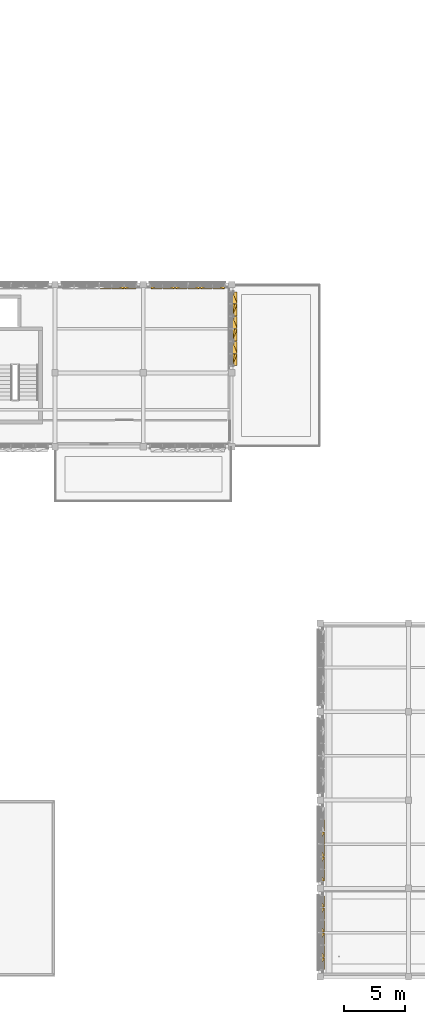
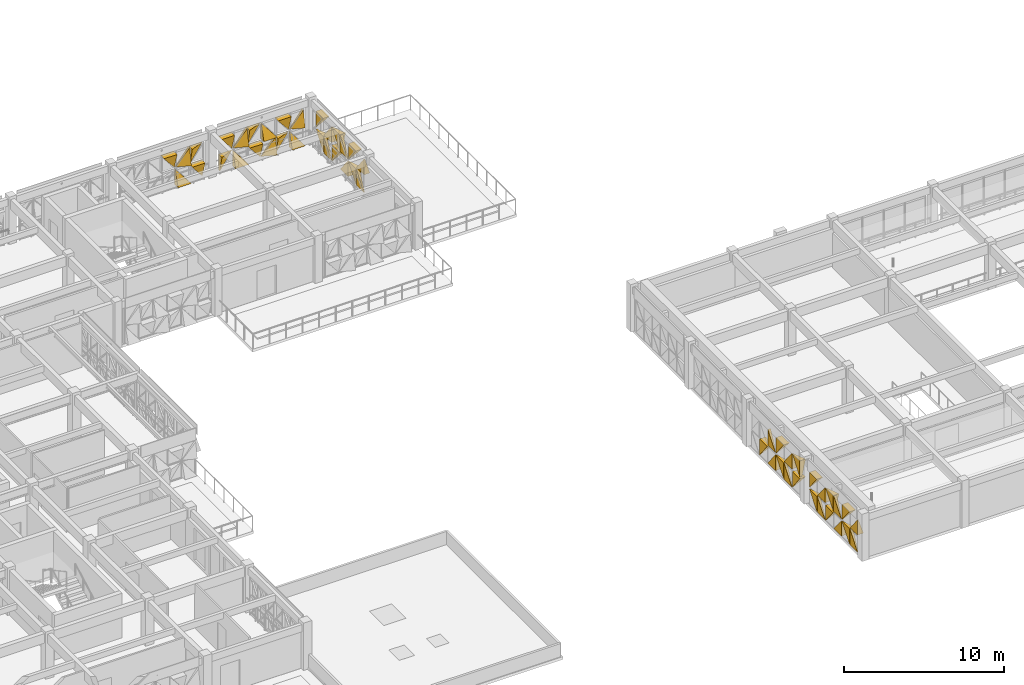
# One storey, part 69 of 74: 50 coverings.
"""IFC4 building model written with IfcOpenShell, lengths in metres."""

import ifcopenshell
import ifcopenshell.guid

model = None  # the IFC model being written
_history = None  # IfcOwnerHistory: only IFC2X3 demands one
_inside = {}  # id of a spatial element -> (the spatial element, [elements in it])
_under = {}  # id of a project, library or spatial element -> (it, [spatial elements below it])
_declared = {}  # id of a project -> (the project, [libraries it declares])
_typed = {}  # id of a type object -> (the type object, [elements of that type])
_made_of = {}  # id of a material, layer set ... -> (it, [elements and type objects made of it])


def new_model(schema):
    """Start an empty IFC model of exactly this schema.

    Asked for "IFC4X3", IfcOpenShell would pick the latest addendum, in which some entities
    have other attributes; the version numbers below select the first issue.
    IFC2X3 requires an IfcOwnerHistory on every rooted entity: one is made here for all.
    """
    global model, _history
    if schema == "IFC4X3":
        model = ifcopenshell.file(schema_version=(4, 3, 0, 0))
    else:
        model = ifcopenshell.file(schema=schema)
    _inside.clear()
    _under.clear()
    _declared.clear()
    _typed.clear()
    _made_of.clear()
    _history = None
    if model.schema == "IFC2X3":
        org = make("IfcOrganization", Name="unknown")
        user = make(
            "IfcPersonAndOrganization",
            ThePerson=make("IfcPerson", FamilyName="unknown"),
            TheOrganization=org,
        )
        app = make(
            "IfcApplication",
            ApplicationDeveloper=org,
            Version="unknown",
            ApplicationFullName="unknown",
            ApplicationIdentifier="unknown",
        )
        _history = make(
            "IfcOwnerHistory",
            OwningUser=user,
            OwningApplication=app,
            ChangeAction="ADDED",
            CreationDate=0,
        )
    return model


def make(cls, **values):
    """One entity of the class cls with the attributes given. An attribute that is None is left unset."""
    return model.create_entity(
        cls, **{name: value for name, value in values.items() if value is not None}
    )


def rooted(cls, **values):
    """An entity with a GlobalId (a new one), such as an element, a storey or a relation."""
    return make(cls, GlobalId=ifcopenshell.guid.new(), OwnerHistory=_history, **values)


def si_unit(unit_type, name, prefix=None):
    """IfcSIUnit, for example si_unit("LENGTHUNIT", "METRE", prefix="MILLI")."""
    return make("IfcSIUnit", UnitType=unit_type, Prefix=prefix, Name=name)


def assignment(units):
    """IfcUnitAssignment: the units of a project."""
    return None if units is None else make("IfcUnitAssignment", Units=units)


def point(xyz):
    """IfcCartesianPoint."""
    return None if xyz is None else make("IfcCartesianPoint", Coordinates=xyz)


def direction(xyz):
    """IfcDirection."""
    return None if xyz is None else make("IfcDirection", DirectionRatios=xyz)


def frame(location, z_axis=None, x_axis=None):
    """IfcAxis2Placement3D, a coordinate frame: its origin and axes. An axis left out is left unset."""
    return make(
        "IfcAxis2Placement3D",
        Location=point(location),
        Axis=direction(z_axis),
        RefDirection=direction(x_axis),
    )


def origin():
    """The frame at (0, 0, 0) with its axes left unset."""
    return frame((0.0, 0.0, 0.0))


def place(relative_to, where):
    """IfcLocalPlacement: puts the frame where relative to a parent placement (None: the world)."""
    return make(
        "IfcLocalPlacement", PlacementRelTo=relative_to, RelativePlacement=where
    )


def context(
    kind, dimensions, precision=None, world=None, true_north=None, identifier=None
):
    """IfcGeometricRepresentationContext, for example the 3D "Model" context."""
    return make(
        "IfcGeometricRepresentationContext",
        ContextIdentifier=identifier,
        ContextType=kind,
        CoordinateSpaceDimension=dimensions,
        Precision=precision,
        WorldCoordinateSystem=world,
        TrueNorth=true_north,
    )


def subcontext(parent, identifier, kind, view, scale=None):
    """IfcGeometricRepresentationSubContext, for example "Body" below "Model"."""
    return make(
        "IfcGeometricRepresentationSubContext",
        ContextIdentifier=identifier,
        ContextType=kind,
        ParentContext=parent,
        TargetScale=scale,
        TargetView=view,
    )


def project(units=None, contexts=None):
    """IfcProject with its units and contexts."""
    return rooted(
        "IfcProject",
        Name="project",
        RepresentationContexts=contexts,
        UnitsInContext=assignment(units),
    )


def spatial(cls, under=None, at=None, **own):
    """A site, building, storey or space (cls), placed at a placement, below another one or the project."""
    s = rooted(cls, ObjectPlacement=at, **own)
    if under is not None:
        _under.setdefault(under.id(), (under, []))[1].append(s)
    return s


def point_list(points):
    """IfcCartesianPointList2D or 3D."""
    cls = (
        "IfcCartesianPointList2D" if len(points[0]) == 2 else "IfcCartesianPointList3D"
    )
    return make(cls, CoordList=points)


def polygons(points, faces, closed=None, point_numbers=None):
    """IfcPolygonalFaceSet: a face is its outer loop, then its inner loops; points numbered from 1."""
    made = []
    for loops in faces:
        if len(loops) == 1:
            made.append(make("IfcIndexedPolygonalFace", CoordIndex=loops[0]))
        else:
            made.append(
                make(
                    "IfcIndexedPolygonalFaceWithVoids",
                    CoordIndex=loops[0],
                    InnerCoordIndices=loops[1:],
                )
            )
    return make(
        "IfcPolygonalFaceSet",
        Coordinates=point_list(points),
        Closed=closed,
        Faces=made,
        PnIndex=point_numbers,
    )


def shape(context_of_items, identifier, shape_type, items):
    """IfcShapeRepresentation: the items that make up one representation, for example the "Body"."""
    return make(
        "IfcShapeRepresentation",
        ContextOfItems=context_of_items,
        RepresentationIdentifier=identifier,
        RepresentationType=shape_type,
        Items=items,
    )


def material(Name=None, Category=None):
    """IfcMaterial."""
    return make("IfcMaterial", Name=Name, Category=Category)


def layer(
    of_material, thickness, ventilated=None, Name=None, Category=None, Priority=None
):
    """IfcMaterialLayer: one layer of a wall or slab, of a material (None: an air gap)."""
    return make(
        "IfcMaterialLayer",
        Material=of_material,
        LayerThickness=thickness,
        IsVentilated=ventilated,
        Name=Name,
        Category=Category,
        Priority=Priority,
    )


def layer_set(layers, Name=None):
    """IfcMaterialLayerSet."""
    return make("IfcMaterialLayerSet", MaterialLayers=layers, LayerSetName=Name)


def made_of(thing, what):
    """Note that an element or type object is made of a material, layer set ...; save() writes the relation."""
    if what is not None:
        _made_of.setdefault(what.id(), (what, []))[1].append(thing)
    return thing


def type_object(cls, material=None, **own):
    """A type object (cls), such as IfcWallType, which elements share."""
    return made_of(rooted(cls, **own), material)


def element(
    cls,
    number,
    at=None,
    inside=None,
    cuts=None,
    type_object=None,
    material=None,
    context=None,
    identifier="Body",
    shape_type=None,
    held_by="IfcProductDefinitionShape",
    body=None,
    shapes=None,
    **own,
):
    """One element of the class cls, such as IfcWall. Its Tag is "e" and its number.

    at: its placement. inside: the storey or other place that contains it. cuts: it is an
    opening in that element (IfcRelVoidsElement). A single representation is given by context,
    identifier, shape_type and body (its items); several are given by shapes. held_by: the class
    of the entity that holds the representations. save() writes the other relations.
    """
    e = rooted(cls, Tag="e%d" % number, ObjectPlacement=at, **own)
    if body is not None:
        shapes = [shape(context, identifier, shape_type, body)]
    if shapes is not None:
        e.Representation = make(held_by, Representations=shapes)
    if inside is not None:
        _inside.setdefault(inside.id(), (inside, []))[1].append(e)
    if cuts is not None:
        rooted(
            "IfcRelVoidsElement", RelatingBuildingElement=cuts, RelatedOpeningElement=e
        )
    if type_object is not None:
        _typed.setdefault(type_object.id(), (type_object, []))[1].append(e)
    return made_of(e, material)


def aggregate(whole, parts):
    """IfcRelAggregates: a whole, such as a stair, and the parts it consists of."""
    return rooted("IfcRelAggregates", RelatingObject=whole, RelatedObjects=parts)


def save(model, path):
    """Write the relations noted so far, then the file.

    IfcRelAggregates (storeys below a building ...), IfcRelContainedInSpatialStructure (elements
    in a storey), IfcRelDefinesByType, IfcRelAssociatesMaterial and IfcRelDeclares: one each for
    every whole, place, type object, material and project.
    """
    for whole, parts in _under.values():
        aggregate(whole, parts)
    for where, things in _inside.values():
        rooted(
            "IfcRelContainedInSpatialStructure",
            RelatedElements=things,
            RelatingStructure=where,
        )
    for kind, things in _typed.values():
        rooted("IfcRelDefinesByType", RelatedObjects=things, RelatingType=kind)
    for what, things in _made_of.values():
        rooted("IfcRelAssociatesMaterial", RelatedObjects=things, RelatingMaterial=what)
    for by, libraries in _declared.values():
        rooted("IfcRelDeclares", RelatingContext=by, RelatedDefinitions=libraries)
    model.write(path)


model = new_model("IFC4")

# Units and contexts
model_context = context("Model", 3, precision=1e-05, world=origin(), true_north=direction((0.0, 1.0)))
body_context = subcontext(model_context, "Body", "Model", "MODEL_VIEW")
ifc_project = project(units=[si_unit("LENGTHUNIT", "METRE"), si_unit("AREAUNIT", "SQUARE_METRE"), si_unit("VOLUMEUNIT", "CUBIC_METRE"), si_unit("PLANEANGLEUNIT", "RADIAN"), si_unit("MASSUNIT", "GRAM", prefix="KILO")], contexts=[model_context])

# Site, building, storey
site_placement = place(None, origin())
site = spatial("IfcSite", under=ifc_project, at=site_placement, CompositionType="ELEMENT")
building_placement = place(site_placement, origin())
building = spatial("IfcBuilding", under=site, at=building_placement, Name="Alvorim Cloister Faculty of Sciences", CompositionType="ELEMENT")
storey_placement = place(building_placement, frame((0.0, 0.0, 15.75)))
storey = spatial("IfcBuildingStorey", under=building, at=storey_placement, Name="L04", CompositionType="ELEMENT", Elevation=15.75)

# Coverings
ifc_material = material(Name="Perforated Bronze Alloy Sheet", Category="metal")
ifc_layer = layer(ifc_material, 0.0380859375)
ifc_layer_set = layer_set([ifc_layer], Name="Perforated Bronze Alloy Sheet")
covering_type = type_object("IfcCoveringType", Name="COV-TRI-BRZ", PredefinedType="CLADDING", material=ifc_layer_set)
covering_1_placement = place(storey_placement, frame((46.83251953125, 56.445068359375, 1.4951171875), z_axis=(0.0, 0.0, 1.0), x_axis=(1.0, 0.0, 0.0)))
element("IfcCovering", 1, at=covering_1_placement, inside=storey, type_object=covering_type, Name="Diagonal Solid Metal Triangle TRI-TR", PredefinedType="CLADDING", context=body_context, shape_type="Tessellation", body=[
    polygons([(0.955078125, 0.0260009765625, 0.002), (0.955078125, 0.0260009765625, 1.21484375), (0.002, 0.0260009765625, 1.21484375), (0.955078125, -0.03, 0.002), (0.955078125, -0.4, 1.21484375), (0.002, -0.4, 1.21484375)], [[[1, 3, 2]], [[4, 5, 6]], [[1, 2, 5, 4]], [[2, 3, 6, 5]], [[3, 1, 4, 6]]], closed=True),
])
covering_2_placement = place(storey_placement, frame((47.8525390625, 56.445068359375, 0.139892578125), z_axis=(0.0, 0.0, 1.0), x_axis=(1.0, 0.0, 0.0)))
element("IfcCovering", 2, at=covering_2_placement, inside=storey, type_object=covering_type, Name="Diagonal Solid Metal Triangle TRI-BL", PredefinedType="CLADDING", context=body_context, shape_type="Tessellation", body=[
    polygons([(0.0, 0.0260009765625, 0.0), (0.953078125, 0.0260009765625, 0.0), (0.0, 0.0260009765625, 1.213087890625), (0.0, -0.4, 0.0), (0.953078125, -0.4, 0.0), (0.0, -0.03, 1.213087890625)], [[[1, 3, 2]], [[4, 5, 6]], [[1, 2, 5, 4]], [[2, 3, 6, 5]], [[3, 1, 4, 6]]], closed=True),
])
covering_3_placement = place(storey_placement, frame((47.8525390625, 56.445068359375, 1.4951171875), z_axis=(0.0, 0.0, 1.0), x_axis=(1.0, 0.0, 0.0)))
element("IfcCovering", 3, at=covering_3_placement, inside=storey, type_object=covering_type, Name="Diagonal Solid Metal Triangle TRI-BR", PredefinedType="CLADDING", context=body_context, shape_type="Tessellation", body=[
    polygons([(0.002, 0.0260009765625, 0.0), (0.955078125, 0.0260009765625, 0.0), (0.955078125, 0.0260009765625, 1.21284375), (0.002, -0.03, 0.0), (0.955078125, -0.4, 0.0), (0.955078125, -0.18000000000000002, 1.21284375)], [[[1, 3, 2]], [[4, 5, 6]], [[1, 2, 5, 4]], [[2, 3, 6, 5]], [[3, 1, 4, 6]]], closed=True),
])
covering_4_placement = place(storey_placement, frame((48.87255859375, 56.445068359375, 0.139892578125), z_axis=(0.0, 0.0, 1.0), x_axis=(1.0, 0.0, 0.0)))
element("IfcCovering", 4, at=covering_4_placement, inside=storey, type_object=covering_type, Name="Diagonal Solid Metal Triangle TRI-TR", PredefinedType="CLADDING", context=body_context, shape_type="Tessellation", body=[
    polygons([(0.922607421875, 0.0260009765625, 0.002), (0.922607421875, 0.0260009765625, 1.215087890625), (0.002, 0.0260009765625, 1.215087890625), (0.922607421875, -0.03, 0.002), (0.922607421875, -0.4, 1.215087890625), (0.002, -0.4, 1.215087890625)], [[[1, 3, 2]], [[4, 5, 6]], [[1, 2, 5, 4]], [[2, 3, 6, 5]], [[3, 1, 4, 6]]], closed=True),
])
covering_5_placement = place(storey_placement, frame((48.87255859375, 56.445068359375, 1.4951171875), z_axis=(0.0, 0.0, 1.0), x_axis=(1.0, 0.0, 0.0)))
element("IfcCovering", 5, at=covering_5_placement, inside=storey, type_object=covering_type, Name="Diagonal Solid Metal Triangle TRI-TL", PredefinedType="CLADDING", context=body_context, shape_type="Tessellation", body=[
    polygons([(0.920607421875, 0.0260009765625, 1.21484375), (0.0, 0.0260009765625, 1.21484375), (0.0, 0.0260009765625, 0.002), (0.920607421875, -0.03, 1.21484375), (0.0, -0.4, 1.21484375), (0.0, -0.13999999999999999, 0.002)], [[[1, 3, 2]], [[4, 5, 6]], [[1, 2, 5, 4]], [[2, 3, 6, 5]], [[3, 1, 4, 6]]], closed=True),
])
covering_6_placement = place(storey_placement, frame((51.0048828125, 56.445068359375, 0.139892578125), z_axis=(0.0, 0.0, 1.0), x_axis=(1.0, 0.0, 0.0)))
element("IfcCovering", 6, at=covering_6_placement, inside=storey, type_object=covering_type, Name="Diagonal Solid Metal Triangle TRI-TL", PredefinedType="CLADDING", context=body_context, shape_type="Tessellation", body=[
    polygons([(0.920607421875, 0.0260009765625, 1.215087890625), (0.0, 0.0260009765625, 1.215087890625), (0.0, 0.0260009765625, 0.002), (0.920607421875, -0.03, 1.215087890625), (0.0, -0.4, 1.215087890625), (0.0, -0.13999999999999999, 0.002)], [[[1, 3, 2]], [[4, 5, 6]], [[1, 2, 5, 4]], [[2, 3, 6, 5]], [[3, 1, 4, 6]]], closed=True),
])
covering_7_placement = place(storey_placement, frame((51.0048828125, 56.445068359375, 1.4951171875), z_axis=(0.0, 0.0, 1.0), x_axis=(1.0, 0.0, 0.0)))
element("IfcCovering", 7, at=covering_7_placement, inside=storey, type_object=covering_type, Name="Diagonal Solid Metal Triangle TRI-TR", PredefinedType="CLADDING", context=body_context, shape_type="Tessellation", body=[
    polygons([(0.922607421875, 0.0260009765625, 0.002), (0.922607421875, 0.0260009765625, 1.21484375), (0.002, 0.0260009765625, 1.21484375), (0.922607421875, -0.03, 0.002), (0.922607421875, -0.4, 1.21484375), (0.002, -0.4, 1.21484375)], [[[1, 3, 2]], [[4, 5, 6]], [[1, 2, 5, 4]], [[2, 3, 6, 5]], [[3, 1, 4, 6]]], closed=True),
])
covering_8_placement = place(storey_placement, frame((51.992431640625, 56.445068359375, 0.139892578125), z_axis=(0.0, 0.0, 1.0), x_axis=(1.0, 0.0, 0.0)))
element("IfcCovering", 8, at=covering_8_placement, inside=storey, type_object=covering_type, Name="Diagonal Solid Metal Triangle TRI-BL", PredefinedType="CLADDING", context=body_context, shape_type="Tessellation", body=[
    polygons([(0.0, 0.0260009765625, 0.0), (0.953078125, 0.0260009765625, 0.0), (0.0, 0.0260009765625, 1.213087890625), (0.0, -0.4, 0.0), (0.953078125, -0.4, 0.0), (0.0, -0.03, 1.213087890625)], [[[1, 3, 2]], [[4, 5, 6]], [[1, 2, 5, 4]], [[2, 3, 6, 5]], [[3, 1, 4, 6]]], closed=True),
])
covering_9_placement = place(storey_placement, frame((51.992431640625, 56.445068359375, 1.4951171875), z_axis=(0.0, 0.0, 1.0), x_axis=(1.0, 0.0, 0.0)))
element("IfcCovering", 9, at=covering_9_placement, inside=storey, type_object=covering_type, Name="Diagonal Solid Metal Triangle TRI-BR", PredefinedType="CLADDING", context=body_context, shape_type="Tessellation", body=[
    polygons([(0.002, 0.0260009765625, 0.0), (0.955078125, 0.0260009765625, 0.0), (0.955078125, 0.0260009765625, 1.21284375), (0.002, -0.03, 0.0), (0.955078125, -0.4, 0.0), (0.955078125, -0.18000000000000002, 1.21284375)], [[[1, 3, 2]], [[4, 5, 6]], [[1, 2, 5, 4]], [[2, 3, 6, 5]], [[3, 1, 4, 6]]], closed=True),
])
covering_10_placement = place(storey_placement, frame((53.012451171875, 56.445068359375, 0.139892578125), z_axis=(0.0, 0.0, 1.0), x_axis=(1.0, 0.0, 0.0)))
element("IfcCovering", 10, at=covering_10_placement, inside=storey, type_object=covering_type, Name="Diagonal Solid Metal Triangle TRI-TR", PredefinedType="CLADDING", context=body_context, shape_type="Tessellation", body=[
    polygons([(0.955078125, 0.0260009765625, 0.002), (0.955078125, 0.0260009765625, 1.215087890625), (0.002, 0.0260009765625, 1.215087890625), (0.955078125, -0.03, 0.002), (0.955078125, -0.4, 1.215087890625), (0.002, -0.4, 1.215087890625)], [[[1, 3, 2]], [[4, 5, 6]], [[1, 2, 5, 4]], [[2, 3, 6, 5]], [[3, 1, 4, 6]]], closed=True),
])
covering_11_placement = place(storey_placement, frame((53.012451171875, 56.445068359375, 1.4951171875), z_axis=(0.0, 0.0, 1.0), x_axis=(1.0, 0.0, 0.0)))
element("IfcCovering", 11, at=covering_11_placement, inside=storey, type_object=covering_type, Name="Diagonal Solid Metal Triangle TRI-TL", PredefinedType="CLADDING", context=body_context, shape_type="Tessellation", body=[
    polygons([(0.953078125, 0.0260009765625, 1.21484375), (0.0, 0.0260009765625, 1.21484375), (0.0, 0.0260009765625, 0.002), (0.953078125, -0.03, 1.21484375), (0.0, -0.4, 1.21484375), (0.0, -0.13999999999999999, 0.002)], [[[1, 3, 2]], [[4, 5, 6]], [[1, 2, 5, 4]], [[2, 3, 6, 5]], [[3, 1, 4, 6]]], closed=True),
])
covering_12_placement = place(storey_placement, frame((54.032470703125, 56.445068359375, 0.139892578125), z_axis=(0.0, 0.0, 1.0), x_axis=(1.0, 0.0, 0.0)))
element("IfcCovering", 12, at=covering_12_placement, inside=storey, type_object=covering_type, Name="Diagonal Solid Metal Triangle TRI-BR", PredefinedType="CLADDING", context=body_context, shape_type="Tessellation", body=[
    polygons([(0.002, 0.0260009765625, 0.0), (0.955078125, 0.0260009765625, 0.0), (0.955078125, 0.0260009765625, 1.213087890625), (0.002, -0.03, 0.0), (0.955078125, -0.4, 0.0), (0.955078125, -0.18000000000000002, 1.213087890625)], [[[1, 3, 2]], [[4, 5, 6]], [[1, 2, 5, 4]], [[2, 3, 6, 5]], [[3, 1, 4, 6]]], closed=True),
])
covering_13_placement = place(storey_placement, frame((54.032470703125, 56.445068359375, 1.4951171875), z_axis=(0.0, 0.0, 1.0), x_axis=(1.0, 0.0, 0.0)))
element("IfcCovering", 13, at=covering_13_placement, inside=storey, type_object=covering_type, Name="Diagonal Solid Metal Triangle TRI-BL", PredefinedType="CLADDING", context=body_context, shape_type="Tessellation", body=[
    polygons([(0.0, 0.0260009765625, 0.0), (0.953078125, 0.0260009765625, 0.0), (0.0, 0.0260009765625, 1.21284375), (0.0, -0.4, 0.0), (0.953078125, -0.4, 0.0), (0.0, -0.03, 1.21284375)], [[[1, 3, 2]], [[4, 5, 6]], [[1, 2, 5, 4]], [[2, 3, 6, 5]], [[3, 1, 4, 6]]], closed=True),
])
covering_14_placement = place(storey_placement, frame((55.052490234375, 56.445068359375, 0.139892578125), z_axis=(0.0, 0.0, 1.0), x_axis=(1.0, 0.0, 0.0)))
element("IfcCovering", 14, at=covering_14_placement, inside=storey, type_object=covering_type, Name="Diagonal Solid Metal Triangle TRI-TL", PredefinedType="CLADDING", context=body_context, shape_type="Tessellation", body=[
    polygons([(0.953078125, 0.0260009765625, 1.215087890625), (0.0, 0.0260009765625, 1.215087890625), (0.0, 0.0260009765625, 0.002), (0.953078125, -0.03, 1.215087890625), (0.0, -0.4, 1.215087890625), (0.0, -0.13999999999999999, 0.002)], [[[1, 3, 2]], [[4, 5, 6]], [[1, 2, 5, 4]], [[2, 3, 6, 5]], [[3, 1, 4, 6]]], closed=True),
])
covering_15_placement = place(storey_placement, frame((55.052490234375, 56.445068359375, 1.4951171875), z_axis=(0.0, 0.0, 1.0), x_axis=(1.0, 0.0, 0.0)))
element("IfcCovering", 15, at=covering_15_placement, inside=storey, type_object=covering_type, Name="Diagonal Solid Metal Triangle TRI-TR", PredefinedType="CLADDING", context=body_context, shape_type="Tessellation", body=[
    polygons([(0.955078125, 0.0260009765625, 0.002), (0.955078125, 0.0260009765625, 1.21484375), (0.002, 0.0260009765625, 1.21484375), (0.955078125, -0.03, 0.002), (0.955078125, -0.4, 1.21484375), (0.002, -0.4, 1.21484375)], [[[1, 3, 2]], [[4, 5, 6]], [[1, 2, 5, 4]], [[2, 3, 6, 5]], [[3, 1, 4, 6]]], closed=True),
])
covering_16_placement = place(storey_placement, frame((56.072509765625, 56.445068359375, 0.139892578125), z_axis=(0.0, 0.0, 1.0), x_axis=(1.0, 0.0, 0.0)))
element("IfcCovering", 16, at=covering_16_placement, inside=storey, type_object=covering_type, Name="Diagonal Solid Metal Triangle TRI-BL", PredefinedType="CLADDING", context=body_context, shape_type="Tessellation", body=[
    polygons([(0.0, 0.0260009765625, 0.0), (0.920607421875, 0.0260009765625, 0.0), (0.0, 0.0260009765625, 1.213087890625), (0.0, -0.4, 0.0), (0.920607421875, -0.4, 0.0), (0.0, -0.03, 1.213087890625)], [[[1, 3, 2]], [[4, 5, 6]], [[1, 2, 5, 4]], [[2, 3, 6, 5]], [[3, 1, 4, 6]]], closed=True),
])
covering_17_placement = place(storey_placement, frame((56.072509765625, 56.445068359375, 1.4951171875), z_axis=(0.0, 0.0, 1.0), x_axis=(1.0, 0.0, 0.0)))
element("IfcCovering", 17, at=covering_17_placement, inside=storey, type_object=covering_type, Name="Diagonal Solid Metal Triangle TRI-BR", PredefinedType="CLADDING", context=body_context, shape_type="Tessellation", body=[
    polygons([(0.002, 0.0260009765625, 0.0), (0.922607421875, 0.0260009765625, 0.0), (0.922607421875, 0.0260009765625, 1.21284375), (0.002, -0.03, 0.0), (0.922607421875, -0.4, 0.0), (0.922607421875, -0.18000000000000002, 1.21284375)], [[[1, 3, 2]], [[4, 5, 6]], [[1, 2, 5, 4]], [[2, 3, 6, 5]], [[3, 1, 4, 6]]], closed=True),
])
covering_18_placement = place(storey_placement, frame((57.64501953125, 49.804931640625, 0.139892578125), z_axis=(0.0, 0.0, 1.0), x_axis=(0.0, 1.0, 0.0)))
element("IfcCovering", 18, at=covering_18_placement, inside=storey, type_object=covering_type, Name="Diagonal Solid Metal Triangle TRI-BR", PredefinedType="CLADDING", context=body_context, shape_type="Tessellation", body=[
    polygons([(0.002, 0.0260009765625, 0.0), (0.922607421875, 0.0260009765625, 0.0), (0.922607421875, 0.0260009765625, 1.213087890625), (0.002, -0.03, 0.0), (0.922607421875, -0.4, 0.0), (0.922607421875, -0.18000000000000002, 1.213087890625)], [[[1, 3, 2]], [[4, 5, 6]], [[1, 2, 5, 4]], [[2, 3, 6, 5]], [[3, 1, 4, 6]]], closed=True),
])
covering_19_placement = place(storey_placement, frame((57.64501953125, 49.804931640625, 1.4951171875), z_axis=(0.0, 0.0, 1.0), x_axis=(0.0, 1.0, 0.0)))
element("IfcCovering", 19, at=covering_19_placement, inside=storey, type_object=covering_type, Name="Diagonal Solid Metal Triangle TRI-BL", PredefinedType="CLADDING", context=body_context, shape_type="Tessellation", body=[
    polygons([(0.0, 0.0260009765625, 0.0), (0.920607421875, 0.0260009765625, 0.0), (0.0, 0.0260009765625, 1.21284375), (0.0, -0.4, 0.0), (0.920607421875, -0.4, 0.0), (0.0, -0.03, 1.21284375)], [[[1, 3, 2]], [[4, 5, 6]], [[1, 2, 5, 4]], [[2, 3, 6, 5]], [[3, 1, 4, 6]]], closed=True),
])
covering_20_placement = place(storey_placement, frame((57.64501953125, 50.79248046875, 0.139892578125), z_axis=(0.0, 0.0, 1.0), x_axis=(0.0, 1.0, 0.0)))
element("IfcCovering", 20, at=covering_20_placement, inside=storey, type_object=covering_type, Name="Diagonal Solid Metal Triangle TRI-TL", PredefinedType="CLADDING", context=body_context, shape_type="Tessellation", body=[
    polygons([(0.953078125, 0.0260009765625, 1.215087890625), (0.0, 0.0260009765625, 1.215087890625), (0.0, 0.0260009765625, 0.002), (0.953078125, -0.03, 1.215087890625), (0.0, -0.4, 1.215087890625), (0.0, -0.13999999999999999, 0.002)], [[[1, 3, 2]], [[4, 5, 6]], [[1, 2, 5, 4]], [[2, 3, 6, 5]], [[3, 1, 4, 6]]], closed=True),
])
covering_21_placement = place(storey_placement, frame((57.64501953125, 50.79248046875, 1.4951171875), z_axis=(0.0, 0.0, 1.0), x_axis=(0.0, 1.0, 0.0)))
element("IfcCovering", 21, at=covering_21_placement, inside=storey, type_object=covering_type, Name="Diagonal Solid Metal Triangle TRI-TR", PredefinedType="CLADDING", context=body_context, shape_type="Tessellation", body=[
    polygons([(0.955078125, 0.0260009765625, 0.002), (0.955078125, 0.0260009765625, 1.21484375), (0.002, 0.0260009765625, 1.21484375), (0.955078125, -0.03, 0.002), (0.955078125, -0.4, 1.21484375), (0.002, -0.4, 1.21484375)], [[[1, 3, 2]], [[4, 5, 6]], [[1, 2, 5, 4]], [[2, 3, 6, 5]], [[3, 1, 4, 6]]], closed=True),
])
covering_22_placement = place(storey_placement, frame((57.64501953125, 51.8125, 0.139892578125), z_axis=(0.0, 0.0, 1.0), x_axis=(0.0, 1.0, 0.0)))
element("IfcCovering", 22, at=covering_22_placement, inside=storey, type_object=covering_type, Name="Diagonal Solid Metal Triangle TRI-BL", PredefinedType="CLADDING", context=body_context, shape_type="Tessellation", body=[
    polygons([(0.0, 0.0260009765625, 0.0), (0.953078125, 0.0260009765625, 0.0), (0.0, 0.0260009765625, 1.213087890625), (0.0, -0.4, 0.0), (0.953078125, -0.4, 0.0), (0.0, -0.03, 1.213087890625)], [[[1, 3, 2]], [[4, 5, 6]], [[1, 2, 5, 4]], [[2, 3, 6, 5]], [[3, 1, 4, 6]]], closed=True),
])
covering_23_placement = place(storey_placement, frame((57.64501953125, 51.8125, 1.4951171875), z_axis=(0.0, 0.0, 1.0), x_axis=(0.0, 1.0, 0.0)))
element("IfcCovering", 23, at=covering_23_placement, inside=storey, type_object=covering_type, Name="Diagonal Solid Metal Triangle TRI-BR", PredefinedType="CLADDING", context=body_context, shape_type="Tessellation", body=[
    polygons([(0.002, 0.0260009765625, 0.0), (0.955078125, 0.0260009765625, 0.0), (0.955078125, 0.0260009765625, 1.21284375), (0.002, -0.03, 0.0), (0.955078125, -0.4, 0.0), (0.955078125, -0.18000000000000002, 1.21284375)], [[[1, 3, 2]], [[4, 5, 6]], [[1, 2, 5, 4]], [[2, 3, 6, 5]], [[3, 1, 4, 6]]], closed=True),
])
covering_24_placement = place(storey_placement, frame((57.64501953125, 52.83251953125, 0.139892578125), z_axis=(0.0, 0.0, 1.0), x_axis=(0.0, 1.0, 0.0)))
element("IfcCovering", 24, at=covering_24_placement, inside=storey, type_object=covering_type, Name="Diagonal Solid Metal Triangle TRI-TR", PredefinedType="CLADDING", context=body_context, shape_type="Tessellation", body=[
    polygons([(0.955078125, 0.0260009765625, 0.002), (0.955078125, 0.0260009765625, 1.215087890625), (0.002, 0.0260009765625, 1.215087890625), (0.955078125, -0.03, 0.002), (0.955078125, -0.4, 1.215087890625), (0.002, -0.4, 1.215087890625)], [[[1, 3, 2]], [[4, 5, 6]], [[1, 2, 5, 4]], [[2, 3, 6, 5]], [[3, 1, 4, 6]]], closed=True),
])
covering_25_placement = place(storey_placement, frame((57.64501953125, 52.83251953125, 1.4951171875), z_axis=(0.0, 0.0, 1.0), x_axis=(0.0, 1.0, 0.0)))
element("IfcCovering", 25, at=covering_25_placement, inside=storey, type_object=covering_type, Name="Diagonal Solid Metal Triangle TRI-TL", PredefinedType="CLADDING", context=body_context, shape_type="Tessellation", body=[
    polygons([(0.953078125, 0.0260009765625, 1.21484375), (0.0, 0.0260009765625, 1.21484375), (0.0, 0.0260009765625, 0.002), (0.953078125, -0.03, 1.21484375), (0.0, -0.4, 1.21484375), (0.0, -0.13999999999999999, 0.002)], [[[1, 3, 2]], [[4, 5, 6]], [[1, 2, 5, 4]], [[2, 3, 6, 5]], [[3, 1, 4, 6]]], closed=True),
])
covering_26_placement = place(storey_placement, frame((57.64501953125, 53.8525390625, 0.139892578125), z_axis=(0.0, 0.0, 1.0), x_axis=(0.0, 1.0, 0.0)))
element("IfcCovering", 26, at=covering_26_placement, inside=storey, type_object=covering_type, Name="Diagonal Solid Metal Triangle TRI-BR", PredefinedType="CLADDING", context=body_context, shape_type="Tessellation", body=[
    polygons([(0.002, 0.0260009765625, 0.0), (0.955078125, 0.0260009765625, 0.0), (0.955078125, 0.0260009765625, 1.213087890625), (0.002, -0.03, 0.0), (0.955078125, -0.4, 0.0), (0.955078125, -0.18000000000000002, 1.213087890625)], [[[1, 3, 2]], [[4, 5, 6]], [[1, 2, 5, 4]], [[2, 3, 6, 5]], [[3, 1, 4, 6]]], closed=True),
])
covering_27_placement = place(storey_placement, frame((57.64501953125, 53.8525390625, 1.4951171875), z_axis=(0.0, 0.0, 1.0), x_axis=(0.0, 1.0, 0.0)))
element("IfcCovering", 27, at=covering_27_placement, inside=storey, type_object=covering_type, Name="Diagonal Solid Metal Triangle TRI-BL", PredefinedType="CLADDING", context=body_context, shape_type="Tessellation", body=[
    polygons([(0.0, 0.0260009765625, 0.0), (0.953078125, 0.0260009765625, 0.0), (0.0, 0.0260009765625, 1.21284375), (0.0, -0.4, 0.0), (0.953078125, -0.4, 0.0), (0.0, -0.03, 1.21284375)], [[[1, 3, 2]], [[4, 5, 6]], [[1, 2, 5, 4]], [[2, 3, 6, 5]], [[3, 1, 4, 6]]], closed=True),
])
covering_28_placement = place(storey_placement, frame((57.64501953125, 54.87255859375, 0.139892578125), z_axis=(0.0, 0.0, 1.0), x_axis=(0.0, 1.0, 0.0)))
element("IfcCovering", 28, at=covering_28_placement, inside=storey, type_object=covering_type, Name="Diagonal Solid Metal Triangle TRI-TL", PredefinedType="CLADDING", context=body_context, shape_type="Tessellation", body=[
    polygons([(0.920607421875, 0.0260009765625, 1.215087890625), (0.0, 0.0260009765625, 1.215087890625), (0.0, 0.0260009765625, 0.002), (0.920607421875, -0.03, 1.215087890625), (0.0, -0.4, 1.215087890625), (0.0, -0.13999999999999999, 0.002)], [[[1, 3, 2]], [[4, 5, 6]], [[1, 2, 5, 4]], [[2, 3, 6, 5]], [[3, 1, 4, 6]]], closed=True),
])
covering_29_placement = place(storey_placement, frame((57.64501953125, 54.87255859375, 1.4951171875), z_axis=(0.0, 0.0, 1.0), x_axis=(0.0, 1.0, 0.0)))
element("IfcCovering", 29, at=covering_29_placement, inside=storey, type_object=covering_type, Name="Diagonal Solid Metal Triangle TRI-TR", PredefinedType="CLADDING", context=body_context, shape_type="Tessellation", body=[
    polygons([(0.922607421875, 0.0260009765625, 0.002), (0.922607421875, 0.0260009765625, 1.21484375), (0.002, 0.0260009765625, 1.21484375), (0.922607421875, -0.03, 0.002), (0.922607421875, -0.4, 1.21484375), (0.002, -0.4, 1.21484375)], [[[1, 3, 2]], [[4, 5, 6]], [[1, 2, 5, 4]], [[2, 3, 6, 5]], [[3, 1, 4, 6]]], closed=True),
])
covering_30_placement = place(storey_placement, frame((64.7548828125, 0.60498046875, 0.139892578125), z_axis=(0.0, 0.0, 1.0), x_axis=(0.0, 1.0, 0.0)))
element("IfcCovering", 30, at=covering_30_placement, inside=storey, type_object=covering_type, Name="Diagonal Solid Metal Triangle TRI-BR", PredefinedType="CLADDING", context=body_context, shape_type="Tessellation", body=[
    polygons([(0.002, 0.0260009765625, 0.0), (0.922607421875, 0.0260009765625, 0.0), (0.922607421875, 0.0260009765625, 1.160841796875), (0.002, -0.03, 0.0), (0.922607421875, -0.4, 0.0), (0.922607421875, -0.18000000000000002, 1.160841796875)], [[[1, 3, 2]], [[4, 5, 6]], [[1, 2, 5, 4]], [[2, 3, 6, 5]], [[3, 1, 4, 6]]], closed=True),
])
covering_31_placement = place(storey_placement, frame((64.7548828125, 0.60498046875, 1.44287109375), z_axis=(0.0, 0.0, 1.0), x_axis=(0.0, 1.0, 0.0)))
element("IfcCovering", 31, at=covering_31_placement, inside=storey, type_object=covering_type, Name="Diagonal Solid Metal Triangle TRI-BL", PredefinedType="CLADDING", context=body_context, shape_type="Tessellation", body=[
    polygons([(0.0, 0.0260009765625, 0.0), (0.920607421875, 0.0260009765625, 0.0), (0.0, 0.0260009765625, 1.160841796875), (0.0, -0.4, 0.0), (0.920607421875, -0.4, 0.0), (0.0, -0.03, 1.160841796875)], [[[1, 3, 2]], [[4, 5, 6]], [[1, 2, 5, 4]], [[2, 3, 6, 5]], [[3, 1, 4, 6]]], closed=True),
])
covering_32_placement = place(storey_placement, frame((64.7548828125, 1.592529296875, 0.139892578125), z_axis=(0.0, 0.0, 1.0), x_axis=(0.0, 1.0, 0.0)))
element("IfcCovering", 32, at=covering_32_placement, inside=storey, type_object=covering_type, Name="Diagonal Solid Metal Triangle TRI-TL", PredefinedType="CLADDING", context=body_context, shape_type="Tessellation", body=[
    polygons([(0.953078125, 0.0260009765625, 1.162841796875), (0.0, 0.0260009765625, 1.162841796875), (0.0, 0.0260009765625, 0.002), (0.953078125, -0.03, 1.162841796875), (0.0, -0.4, 1.162841796875), (0.0, -0.13999999999999999, 0.002)], [[[1, 3, 2]], [[4, 5, 6]], [[1, 2, 5, 4]], [[2, 3, 6, 5]], [[3, 1, 4, 6]]], closed=True),
])
covering_33_placement = place(storey_placement, frame((64.7548828125, 1.592529296875, 1.44287109375), z_axis=(0.0, 0.0, 1.0), x_axis=(0.0, 1.0, 0.0)))
element("IfcCovering", 33, at=covering_33_placement, inside=storey, type_object=covering_type, Name="Diagonal Solid Metal Triangle TRI-TR", PredefinedType="CLADDING", context=body_context, shape_type="Tessellation", body=[
    polygons([(0.955078125, 0.0260009765625, 0.002), (0.955078125, 0.0260009765625, 1.162841796875), (0.002, 0.0260009765625, 1.162841796875), (0.955078125, -0.03, 0.002), (0.955078125, -0.4, 1.162841796875), (0.002, -0.4, 1.162841796875)], [[[1, 3, 2]], [[4, 5, 6]], [[1, 2, 5, 4]], [[2, 3, 6, 5]], [[3, 1, 4, 6]]], closed=True),
])
covering_34_placement = place(storey_placement, frame((64.7548828125, 2.612548828125, 0.139892578125), z_axis=(0.0, 0.0, 1.0), x_axis=(0.0, 1.0, 0.0)))
element("IfcCovering", 34, at=covering_34_placement, inside=storey, type_object=covering_type, Name="Diagonal Solid Metal Triangle TRI-BL", PredefinedType="CLADDING", context=body_context, shape_type="Tessellation", body=[
    polygons([(0.0, 0.0260009765625, 0.0), (0.953078125, 0.0260009765625, 0.0), (0.0, 0.0260009765625, 1.160841796875), (0.0, -0.4, 0.0), (0.953078125, -0.4, 0.0), (0.0, -0.03, 1.160841796875)], [[[1, 3, 2]], [[4, 5, 6]], [[1, 2, 5, 4]], [[2, 3, 6, 5]], [[3, 1, 4, 6]]], closed=True),
])
covering_35_placement = place(storey_placement, frame((64.7548828125, 2.612548828125, 1.44287109375), z_axis=(0.0, 0.0, 1.0), x_axis=(0.0, 1.0, 0.0)))
element("IfcCovering", 35, at=covering_35_placement, inside=storey, type_object=covering_type, Name="Diagonal Solid Metal Triangle TRI-BR", PredefinedType="CLADDING", context=body_context, shape_type="Tessellation", body=[
    polygons([(0.002, 0.0260009765625, 0.0), (0.955078125, 0.0260009765625, 0.0), (0.955078125, 0.0260009765625, 1.160841796875), (0.002, -0.03, 0.0), (0.955078125, -0.4, 0.0), (0.955078125, -0.18000000000000002, 1.160841796875)], [[[1, 3, 2]], [[4, 5, 6]], [[1, 2, 5, 4]], [[2, 3, 6, 5]], [[3, 1, 4, 6]]], closed=True),
])
covering_36_placement = place(storey_placement, frame((64.7548828125, 3.632568359375, 0.139892578125), z_axis=(0.0, 0.0, 1.0), x_axis=(0.0, 1.0, 0.0)))
element("IfcCovering", 36, at=covering_36_placement, inside=storey, type_object=covering_type, Name="Diagonal Solid Metal Triangle TRI-TR", PredefinedType="CLADDING", context=body_context, shape_type="Tessellation", body=[
    polygons([(0.955078125, 0.0260009765625, 0.002), (0.955078125, 0.0260009765625, 1.162841796875), (0.002, 0.0260009765625, 1.162841796875), (0.955078125, -0.03, 0.002), (0.955078125, -0.4, 1.162841796875), (0.002, -0.4, 1.162841796875)], [[[1, 3, 2]], [[4, 5, 6]], [[1, 2, 5, 4]], [[2, 3, 6, 5]], [[3, 1, 4, 6]]], closed=True),
])
covering_37_placement = place(storey_placement, frame((64.7548828125, 3.632568359375, 1.44287109375), z_axis=(0.0, 0.0, 1.0), x_axis=(0.0, 1.0, 0.0)))
element("IfcCovering", 37, at=covering_37_placement, inside=storey, type_object=covering_type, Name="Diagonal Solid Metal Triangle TRI-TL", PredefinedType="CLADDING", context=body_context, shape_type="Tessellation", body=[
    polygons([(0.953078125, 0.0260009765625, 1.162841796875), (0.0, 0.0260009765625, 1.162841796875), (0.0, 0.0260009765625, 0.002), (0.953078125, -0.03, 1.162841796875), (0.0, -0.4, 1.162841796875), (0.0, -0.13999999999999999, 0.002)], [[[1, 3, 2]], [[4, 5, 6]], [[1, 2, 5, 4]], [[2, 3, 6, 5]], [[3, 1, 4, 6]]], closed=True),
])
covering_38_placement = place(storey_placement, frame((64.7548828125, 4.652587890625, 0.139892578125), z_axis=(0.0, 0.0, 1.0), x_axis=(0.0, 1.0, 0.0)))
element("IfcCovering", 38, at=covering_38_placement, inside=storey, type_object=covering_type, Name="Diagonal Solid Metal Triangle TRI-BR", PredefinedType="CLADDING", context=body_context, shape_type="Tessellation", body=[
    polygons([(0.002, 0.0260009765625, 0.0), (0.955078125, 0.0260009765625, 0.0), (0.955078125, 0.0260009765625, 1.160841796875), (0.002, -0.03, 0.0), (0.955078125, -0.4, 0.0), (0.955078125, -0.18000000000000002, 1.160841796875)], [[[1, 3, 2]], [[4, 5, 6]], [[1, 2, 5, 4]], [[2, 3, 6, 5]], [[3, 1, 4, 6]]], closed=True),
])
covering_39_placement = place(storey_placement, frame((64.7548828125, 4.652587890625, 1.44287109375), z_axis=(0.0, 0.0, 1.0), x_axis=(0.0, 1.0, 0.0)))
element("IfcCovering", 39, at=covering_39_placement, inside=storey, type_object=covering_type, Name="Diagonal Solid Metal Triangle TRI-BL", PredefinedType="CLADDING", context=body_context, shape_type="Tessellation", body=[
    polygons([(0.0, 0.0260009765625, 0.0), (0.953078125, 0.0260009765625, 0.0), (0.0, 0.0260009765625, 1.160841796875), (0.0, -0.4, 0.0), (0.953078125, -0.4, 0.0), (0.0, -0.03, 1.160841796875)], [[[1, 3, 2]], [[4, 5, 6]], [[1, 2, 5, 4]], [[2, 3, 6, 5]], [[3, 1, 4, 6]]], closed=True),
])
covering_40_placement = place(storey_placement, frame((64.7548828125, 5.672607421875, 0.139892578125), z_axis=(0.0, 0.0, 1.0), x_axis=(0.0, 1.0, 0.0)))
element("IfcCovering", 40, at=covering_40_placement, inside=storey, type_object=covering_type, Name="Diagonal Solid Metal Triangle TRI-TL", PredefinedType="CLADDING", context=body_context, shape_type="Tessellation", body=[
    polygons([(0.920607421875, 0.0260009765625, 1.162841796875), (0.0, 0.0260009765625, 1.162841796875), (0.0, 0.0260009765625, 0.002), (0.920607421875, -0.03, 1.162841796875), (0.0, -0.4, 1.162841796875), (0.0, -0.13999999999999999, 0.002)], [[[1, 3, 2]], [[4, 5, 6]], [[1, 2, 5, 4]], [[2, 3, 6, 5]], [[3, 1, 4, 6]]], closed=True),
])
covering_41_placement = place(storey_placement, frame((64.7548828125, 5.672607421875, 1.44287109375), z_axis=(0.0, 0.0, 1.0), x_axis=(0.0, 1.0, 0.0)))
element("IfcCovering", 41, at=covering_41_placement, inside=storey, type_object=covering_type, Name="Diagonal Solid Metal Triangle TRI-TR", PredefinedType="CLADDING", context=body_context, shape_type="Tessellation", body=[
    polygons([(0.922607421875, 0.0260009765625, 0.002), (0.922607421875, 0.0260009765625, 1.162841796875), (0.002, 0.0260009765625, 1.162841796875), (0.922607421875, -0.03, 0.002), (0.922607421875, -0.4, 1.162841796875), (0.002, -0.4, 1.162841796875)], [[[1, 3, 2]], [[4, 5, 6]], [[1, 2, 5, 4]], [[2, 3, 6, 5]], [[3, 1, 4, 6]]], closed=True),
])
covering_42_placement = place(storey_placement, frame((64.7548828125, 7.804931640625, 0.139892578125), z_axis=(0.0, 0.0, 1.0), x_axis=(0.0, 1.0, 0.0)))
element("IfcCovering", 42, at=covering_42_placement, inside=storey, type_object=covering_type, Name="Diagonal Solid Metal Triangle TRI-TR", PredefinedType="CLADDING", context=body_context, shape_type="Tessellation", body=[
    polygons([(0.922607421875, 0.0260009765625, 0.002), (0.922607421875, 0.0260009765625, 1.215087890625), (0.002, 0.0260009765625, 1.215087890625), (0.922607421875, -0.03, 0.002), (0.922607421875, -0.4, 1.215087890625), (0.002, -0.4, 1.215087890625)], [[[1, 3, 2]], [[4, 5, 6]], [[1, 2, 5, 4]], [[2, 3, 6, 5]], [[3, 1, 4, 6]]], closed=True),
])
covering_43_placement = place(storey_placement, frame((64.7548828125, 7.804931640625, 1.4951171875), z_axis=(0.0, 0.0, 1.0), x_axis=(0.0, 1.0, 0.0)))
element("IfcCovering", 43, at=covering_43_placement, inside=storey, type_object=covering_type, Name="Diagonal Solid Metal Triangle TRI-TL", PredefinedType="CLADDING", context=body_context, shape_type="Tessellation", body=[
    polygons([(0.920607421875, 0.0260009765625, 1.21484375), (0.0, 0.0260009765625, 1.21484375), (0.0, 0.0260009765625, 0.002), (0.920607421875, -0.03, 1.21484375), (0.0, -0.4, 1.21484375), (0.0, -0.13999999999999999, 0.002)], [[[1, 3, 2]], [[4, 5, 6]], [[1, 2, 5, 4]], [[2, 3, 6, 5]], [[3, 1, 4, 6]]], closed=True),
])
covering_44_placement = place(storey_placement, frame((64.7548828125, 8.79248046875, 0.139892578125), z_axis=(0.0, 0.0, 1.0), x_axis=(0.0, 1.0, 0.0)))
element("IfcCovering", 44, at=covering_44_placement, inside=storey, type_object=covering_type, Name="Diagonal Solid Metal Triangle TRI-BR", PredefinedType="CLADDING", context=body_context, shape_type="Tessellation", body=[
    polygons([(0.002, 0.0260009765625, 0.0), (0.955078125, 0.0260009765625, 0.0), (0.955078125, 0.0260009765625, 1.213087890625), (0.002, -0.03, 0.0), (0.955078125, -0.4, 0.0), (0.955078125, -0.18000000000000002, 1.213087890625)], [[[1, 3, 2]], [[4, 5, 6]], [[1, 2, 5, 4]], [[2, 3, 6, 5]], [[3, 1, 4, 6]]], closed=True),
])
covering_45_placement = place(storey_placement, frame((64.7548828125, 8.79248046875, 1.4951171875), z_axis=(0.0, 0.0, 1.0), x_axis=(0.0, 1.0, 0.0)))
element("IfcCovering", 45, at=covering_45_placement, inside=storey, type_object=covering_type, Name="Diagonal Solid Metal Triangle TRI-BL", PredefinedType="CLADDING", context=body_context, shape_type="Tessellation", body=[
    polygons([(0.0, 0.0260009765625, 0.0), (0.953078125, 0.0260009765625, 0.0), (0.0, 0.0260009765625, 1.21284375), (0.0, -0.4, 0.0), (0.953078125, -0.4, 0.0), (0.0, -0.03, 1.21284375)], [[[1, 3, 2]], [[4, 5, 6]], [[1, 2, 5, 4]], [[2, 3, 6, 5]], [[3, 1, 4, 6]]], closed=True),
])
covering_46_placement = place(storey_placement, frame((64.7548828125, 9.8125, 0.139892578125), z_axis=(0.0, 0.0, 1.0), x_axis=(0.0, 1.0, 0.0)))
element("IfcCovering", 46, at=covering_46_placement, inside=storey, type_object=covering_type, Name="Diagonal Solid Metal Triangle TRI-TL", PredefinedType="CLADDING", context=body_context, shape_type="Tessellation", body=[
    polygons([(0.953078125, 0.0260009765625, 1.215087890625), (0.0, 0.0260009765625, 1.215087890625), (0.0, 0.0260009765625, 0.002), (0.953078125, -0.03, 1.215087890625), (0.0, -0.4, 1.215087890625), (0.0, -0.13999999999999999, 0.002)], [[[1, 3, 2]], [[4, 5, 6]], [[1, 2, 5, 4]], [[2, 3, 6, 5]], [[3, 1, 4, 6]]], closed=True),
])
covering_47_placement = place(storey_placement, frame((64.7548828125, 9.8125, 1.4951171875), z_axis=(0.0, 0.0, 1.0), x_axis=(0.0, 1.0, 0.0)))
element("IfcCovering", 47, at=covering_47_placement, inside=storey, type_object=covering_type, Name="Diagonal Solid Metal Triangle TRI-TR", PredefinedType="CLADDING", context=body_context, shape_type="Tessellation", body=[
    polygons([(0.955078125, 0.0260009765625, 0.002), (0.955078125, 0.0260009765625, 1.21484375), (0.002, 0.0260009765625, 1.21484375), (0.955078125, -0.03, 0.002), (0.955078125, -0.4, 1.21484375), (0.002, -0.4, 1.21484375)], [[[1, 3, 2]], [[4, 5, 6]], [[1, 2, 5, 4]], [[2, 3, 6, 5]], [[3, 1, 4, 6]]], closed=True),
])
covering_48_placement = place(storey_placement, frame((64.7548828125, 10.83251953125, 0.139892578125), z_axis=(0.0, 0.0, 1.0), x_axis=(0.0, 1.0, 0.0)))
element("IfcCovering", 48, at=covering_48_placement, inside=storey, type_object=covering_type, Name="Diagonal Solid Metal Triangle TRI-BL", PredefinedType="CLADDING", context=body_context, shape_type="Tessellation", body=[
    polygons([(0.0, 0.0260009765625, 0.0), (0.953078125, 0.0260009765625, 0.0), (0.0, 0.0260009765625, 1.213087890625), (0.0, -0.4, 0.0), (0.953078125, -0.4, 0.0), (0.0, -0.03, 1.213087890625)], [[[1, 3, 2]], [[4, 5, 6]], [[1, 2, 5, 4]], [[2, 3, 6, 5]], [[3, 1, 4, 6]]], closed=True),
])
covering_49_placement = place(storey_placement, frame((64.7548828125, 10.83251953125, 1.4951171875), z_axis=(0.0, 0.0, 1.0), x_axis=(0.0, 1.0, 0.0)))
element("IfcCovering", 49, at=covering_49_placement, inside=storey, type_object=covering_type, Name="Diagonal Solid Metal Triangle TRI-BR", PredefinedType="CLADDING", context=body_context, shape_type="Tessellation", body=[
    polygons([(0.002, 0.0260009765625, 0.0), (0.955078125, 0.0260009765625, 0.0), (0.955078125, 0.0260009765625, 1.21284375), (0.002, -0.03, 0.0), (0.955078125, -0.4, 0.0), (0.955078125, -0.18000000000000002, 1.21284375)], [[[1, 3, 2]], [[4, 5, 6]], [[1, 2, 5, 4]], [[2, 3, 6, 5]], [[3, 1, 4, 6]]], closed=True),
])
covering_50_placement = place(storey_placement, frame((64.7548828125, 11.8525390625, 0.139892578125), z_axis=(0.0, 0.0, 1.0), x_axis=(0.0, 1.0, 0.0)))
element("IfcCovering", 50, at=covering_50_placement, inside=storey, type_object=covering_type, Name="Diagonal Solid Metal Triangle TRI-TR", PredefinedType="CLADDING", context=body_context, shape_type="Tessellation", body=[
    polygons([(0.955078125, 0.0260009765625, 0.002), (0.955078125, 0.0260009765625, 1.215087890625), (0.002, 0.0260009765625, 1.215087890625), (0.955078125, -0.03, 0.002), (0.955078125, -0.4, 1.215087890625), (0.002, -0.4, 1.215087890625)], [[[1, 3, 2]], [[4, 5, 6]], [[1, 2, 5, 4]], [[2, 3, 6, 5]], [[3, 1, 4, 6]]], closed=True),
])

save(model, "model.ifc")
